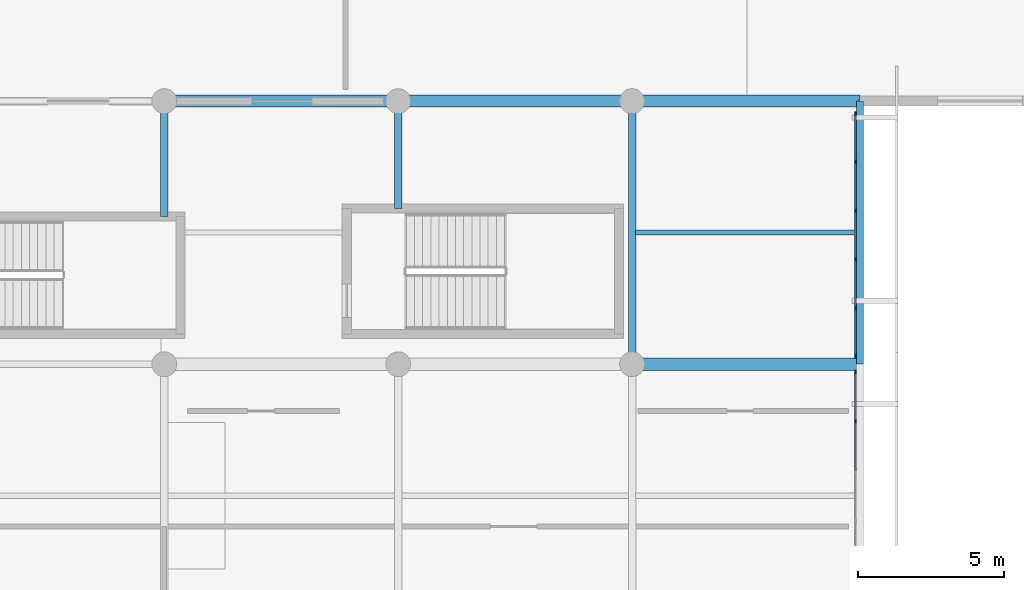
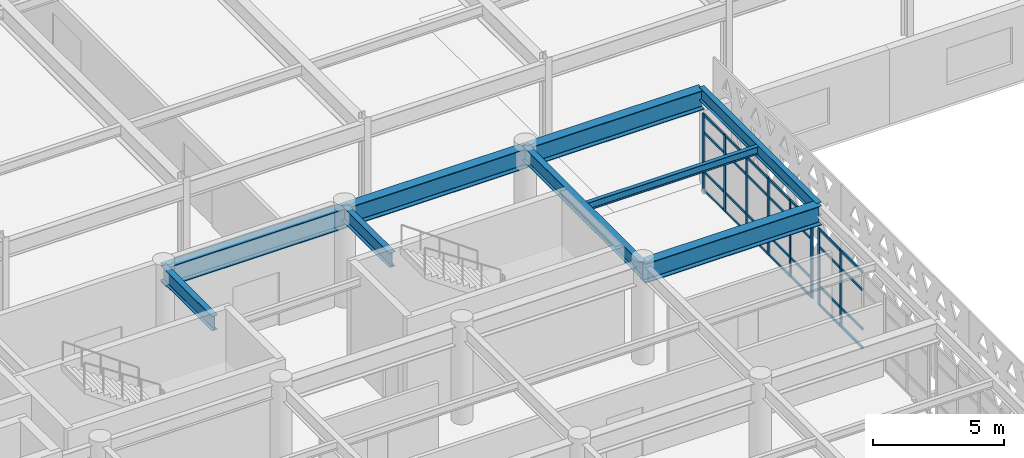
# One storey, part 19 of 54: 36 members, 8 beams, 2 elements without a shape of their own.
"""IFC4 building model written with IfcOpenShell, lengths in metres."""

import ifcopenshell
import ifcopenshell.guid

model = None  # the IFC model being written
_history = None  # IfcOwnerHistory: only IFC2X3 demands one
_inside = {}  # id of a spatial element -> (the spatial element, [elements in it])
_under = {}  # id of a project, library or spatial element -> (it, [spatial elements below it])
_declared = {}  # id of a project -> (the project, [libraries it declares])
_typed = {}  # id of a type object -> (the type object, [elements of that type])
_made_of = {}  # id of a material, layer set ... -> (it, [elements and type objects made of it])


def new_model(schema):
    """Start an empty IFC model of exactly this schema.

    Asked for "IFC4X3", IfcOpenShell would pick the latest addendum, in which some entities
    have other attributes; the version numbers below select the first issue.
    IFC2X3 requires an IfcOwnerHistory on every rooted entity: one is made here for all.
    """
    global model, _history
    if schema == "IFC4X3":
        model = ifcopenshell.file(schema_version=(4, 3, 0, 0))
    else:
        model = ifcopenshell.file(schema=schema)
    _inside.clear()
    _under.clear()
    _declared.clear()
    _typed.clear()
    _made_of.clear()
    _history = None
    if model.schema == "IFC2X3":
        org = make("IfcOrganization", Name="unknown")
        user = make(
            "IfcPersonAndOrganization",
            ThePerson=make("IfcPerson", FamilyName="unknown"),
            TheOrganization=org,
        )
        app = make(
            "IfcApplication",
            ApplicationDeveloper=org,
            Version="unknown",
            ApplicationFullName="unknown",
            ApplicationIdentifier="unknown",
        )
        _history = make(
            "IfcOwnerHistory",
            OwningUser=user,
            OwningApplication=app,
            ChangeAction="ADDED",
            CreationDate=0,
        )
    return model


def make(cls, **values):
    """One entity of the class cls with the attributes given. An attribute that is None is left unset."""
    return model.create_entity(
        cls, **{name: value for name, value in values.items() if value is not None}
    )


def rooted(cls, **values):
    """An entity with a GlobalId (a new one), such as an element, a storey or a relation."""
    return make(cls, GlobalId=ifcopenshell.guid.new(), OwnerHistory=_history, **values)


def si_unit(unit_type, name, prefix=None):
    """IfcSIUnit, for example si_unit("LENGTHUNIT", "METRE", prefix="MILLI")."""
    return make("IfcSIUnit", UnitType=unit_type, Prefix=prefix, Name=name)


def assignment(units):
    """IfcUnitAssignment: the units of a project."""
    return None if units is None else make("IfcUnitAssignment", Units=units)


def point(xyz):
    """IfcCartesianPoint."""
    return None if xyz is None else make("IfcCartesianPoint", Coordinates=xyz)


def direction(xyz):
    """IfcDirection."""
    return None if xyz is None else make("IfcDirection", DirectionRatios=xyz)


def frame(location, z_axis=None, x_axis=None):
    """IfcAxis2Placement3D, a coordinate frame: its origin and axes. An axis left out is left unset."""
    return make(
        "IfcAxis2Placement3D",
        Location=point(location),
        Axis=direction(z_axis),
        RefDirection=direction(x_axis),
    )


def frame_2d(location, x_axis=None):
    """IfcAxis2Placement2D, a coordinate frame in the plane: its origin and x axis."""
    return make(
        "IfcAxis2Placement2D", Location=point(location), RefDirection=direction(x_axis)
    )


def origin():
    """The frame at (0, 0, 0) with its axes left unset."""
    return frame((0.0, 0.0, 0.0))


def origin_2d():
    """The frame at (0, 0) in the plane with its x axis left unset."""
    return frame_2d((0.0, 0.0))


def place(relative_to, where):
    """IfcLocalPlacement: puts the frame where relative to a parent placement (None: the world)."""
    return make(
        "IfcLocalPlacement", PlacementRelTo=relative_to, RelativePlacement=where
    )


def context(
    kind, dimensions, precision=None, world=None, true_north=None, identifier=None
):
    """IfcGeometricRepresentationContext, for example the 3D "Model" context."""
    return make(
        "IfcGeometricRepresentationContext",
        ContextIdentifier=identifier,
        ContextType=kind,
        CoordinateSpaceDimension=dimensions,
        Precision=precision,
        WorldCoordinateSystem=world,
        TrueNorth=true_north,
    )


def subcontext(parent, identifier, kind, view, scale=None):
    """IfcGeometricRepresentationSubContext, for example "Body" below "Model"."""
    return make(
        "IfcGeometricRepresentationSubContext",
        ContextIdentifier=identifier,
        ContextType=kind,
        ParentContext=parent,
        TargetScale=scale,
        TargetView=view,
    )


def project(units=None, contexts=None):
    """IfcProject with its units and contexts."""
    return rooted(
        "IfcProject",
        Name="project",
        RepresentationContexts=contexts,
        UnitsInContext=assignment(units),
    )


def spatial(cls, under=None, at=None, **own):
    """A site, building, storey or space (cls), placed at a placement, below another one or the project."""
    s = rooted(cls, ObjectPlacement=at, **own)
    if under is not None:
        _under.setdefault(under.id(), (under, []))[1].append(s)
    return s


def profile(cls, at=None, kind="AREA", **sizes):
    """A parametric profile (cls). Its sizes go by their IFC names, for example OverallWidth=200.0."""
    return make(cls, ProfileType=kind, Position=at, **sizes)


def rectangle(**sizes):
    """IfcRectangleProfileDef."""
    return profile("IfcRectangleProfileDef", **sizes)


def i_section(**sizes):
    """IfcIShapeProfileDef."""
    return profile("IfcIShapeProfileDef", **sizes)


def extrude(swept, where, along, depth):
    """IfcExtrudedAreaSolid: the profile swept, set in the frame where, extruded along a direction by depth."""
    return make(
        "IfcExtrudedAreaSolid",
        SweptArea=swept,
        Position=where,
        ExtrudedDirection=direction(along),
        Depth=depth,
    )


def shape(context_of_items, identifier, shape_type, items):
    """IfcShapeRepresentation: the items that make up one representation, for example the "Body"."""
    return make(
        "IfcShapeRepresentation",
        ContextOfItems=context_of_items,
        RepresentationIdentifier=identifier,
        RepresentationType=shape_type,
        Items=items,
    )


def material(Name=None, Category=None):
    """IfcMaterial."""
    return make("IfcMaterial", Name=Name, Category=Category)


def layer(
    of_material, thickness, ventilated=None, Name=None, Category=None, Priority=None
):
    """IfcMaterialLayer: one layer of a wall or slab, of a material (None: an air gap)."""
    return make(
        "IfcMaterialLayer",
        Material=of_material,
        LayerThickness=thickness,
        IsVentilated=ventilated,
        Name=Name,
        Category=Category,
        Priority=Priority,
    )


def layer_set(layers, Name=None):
    """IfcMaterialLayerSet."""
    return make("IfcMaterialLayerSet", MaterialLayers=layers, LayerSetName=Name)


def material_profile(
    of_material, cross_section, Name=None, Category=None, Priority=None
):
    """IfcMaterialProfile: a cross section and its material."""
    return make(
        "IfcMaterialProfile",
        Name=Name,
        Material=of_material,
        Profile=cross_section,
        Priority=Priority,
        Category=Category,
    )


def profile_set(profiles, Name=None, composite=None):
    """IfcMaterialProfileSet."""
    return make(
        "IfcMaterialProfileSet",
        Name=Name,
        MaterialProfiles=profiles,
        CompositeProfile=composite,
    )


def made_of(thing, what):
    """Note that an element or type object is made of a material, layer set ...; save() writes the relation."""
    if what is not None:
        _made_of.setdefault(what.id(), (what, []))[1].append(thing)
    return thing


def type_object(cls, material=None, **own):
    """A type object (cls), such as IfcWallType, which elements share."""
    return made_of(rooted(cls, **own), material)


def element(
    cls,
    number,
    at=None,
    inside=None,
    cuts=None,
    type_object=None,
    material=None,
    context=None,
    identifier="Body",
    shape_type=None,
    held_by="IfcProductDefinitionShape",
    body=None,
    shapes=None,
    **own,
):
    """One element of the class cls, such as IfcWall. Its Tag is "e" and its number.

    at: its placement. inside: the storey or other place that contains it. cuts: it is an
    opening in that element (IfcRelVoidsElement). A single representation is given by context,
    identifier, shape_type and body (its items); several are given by shapes. held_by: the class
    of the entity that holds the representations. save() writes the other relations.
    """
    e = rooted(cls, Tag="e%d" % number, ObjectPlacement=at, **own)
    if body is not None:
        shapes = [shape(context, identifier, shape_type, body)]
    if shapes is not None:
        e.Representation = make(held_by, Representations=shapes)
    if inside is not None:
        _inside.setdefault(inside.id(), (inside, []))[1].append(e)
    if cuts is not None:
        rooted(
            "IfcRelVoidsElement", RelatingBuildingElement=cuts, RelatedOpeningElement=e
        )
    if type_object is not None:
        _typed.setdefault(type_object.id(), (type_object, []))[1].append(e)
    return made_of(e, material)


def aggregate(whole, parts):
    """IfcRelAggregates: a whole, such as a stair, and the parts it consists of."""
    return rooted("IfcRelAggregates", RelatingObject=whole, RelatedObjects=parts)


def save(model, path):
    """Write the relations noted so far, then the file.

    IfcRelAggregates (storeys below a building ...), IfcRelContainedInSpatialStructure (elements
    in a storey), IfcRelDefinesByType, IfcRelAssociatesMaterial and IfcRelDeclares: one each for
    every whole, place, type object, material and project.
    """
    for whole, parts in _under.values():
        aggregate(whole, parts)
    for where, things in _inside.values():
        rooted(
            "IfcRelContainedInSpatialStructure",
            RelatedElements=things,
            RelatingStructure=where,
        )
    for kind, things in _typed.values():
        rooted("IfcRelDefinesByType", RelatedObjects=things, RelatingType=kind)
    for what, things in _made_of.values():
        rooted("IfcRelAssociatesMaterial", RelatedObjects=things, RelatingMaterial=what)
    for by, libraries in _declared.values():
        rooted("IfcRelDeclares", RelatingContext=by, RelatedDefinitions=libraries)
    model.write(path)


model = new_model("IFC4")

# Units and contexts
model_context = context("Model", 3, precision=1e-05, world=origin(), true_north=direction((0.0, 1.0)))
body_context = subcontext(model_context, "Body", "Model", "MODEL_VIEW")
ifc_project = project(units=[si_unit("LENGTHUNIT", "METRE"), si_unit("AREAUNIT", "SQUARE_METRE"), si_unit("VOLUMEUNIT", "CUBIC_METRE"), si_unit("PLANEANGLEUNIT", "RADIAN"), si_unit("MASSUNIT", "GRAM", prefix="KILO")], contexts=[model_context])

# Site, building, storey
site_placement = place(None, origin())
site = spatial("IfcSite", under=ifc_project, at=site_placement, CompositionType="ELEMENT")
building_placement = place(site_placement, origin())
building = spatial("IfcBuilding", under=site, at=building_placement, Name="Tlacozan Convention Centre", CompositionType="ELEMENT")
storey_placement = place(building_placement, frame((0.0, 0.0, 11.39990234375)))
storey = spatial("IfcBuildingStorey", under=building, at=storey_placement, Name="L02", CompositionType="ELEMENT", Elevation=11.39990234375)

# Beams
ifc_material_1 = material(Name="Steel ASTM A992 Grade 50", Category="steel")
ifc_material_profile_1 = material_profile(ifc_material_1, i_section(OverallWidth=0.41796875, OverallDepth=0.912109375, WebThickness=0.019287109375, FlangeThickness=0.031982421875, FilletRadius=0.02001953125, at=origin_2d()), Name="IR 914x342.0")
ifc_profile_set_1 = profile_set([ifc_material_profile_1], Name="Steel ASTM A992 Grade 50")
beam_type_1 = type_object("IfcBeamType", Name="Cantilever Girder IR 914x342", PredefinedType="BEAM", material=ifc_profile_set_1)
for number, where, z_axis, x_axis, name in (
    (1, (112.0, 18.0, 4.093994140625), (1.0, 0.0, 0.0), (0.0, 1.0, 0.0), "L02 Cantilever Girder IR 914x342 459"),
    (2, (112.0, 27.0, 4.044189453125), (1.0, 0.0, 0.0), (0.0, 1.0, 0.0), "L02 Cantilever Girder IR 914x342 463"),
):
    element("IfcBeam", number, at=place(storey_placement, frame(where, z_axis=z_axis, x_axis=x_axis)), inside=storey, type_object=beam_type_1, Name=name, PredefinedType="BEAM", context=body_context, shape_type="SweptSolid", body=[
        extrude(i_section(OverallWidth=0.41796875, OverallDepth=0.912109375, WebThickness=0.019287109375, FlangeThickness=0.031982421875, FilletRadius=0.02001953125, at=origin_2d()), origin(), (0.0, 0.0, 1.0), 7.800048828125),
    ])

# Curtain wall, members
ifc_material_2 = material(Name="Dark Bronze Anodised Aluminium", Category="aluminium")
ifc_layer = layer(ifc_material_2, 0.159912109375)
ifc_layer_set = layer_set([ifc_layer], Name="Dark Bronze Anodised Aluminium")
curtain_wall_type = type_object("IfcCurtainWallType", Name="Unitised Congress Gable End CW06", PredefinedType="NOTDEFINED", material=ifc_layer_set)
curtain_wall_1_placement = place(storey_placement, origin())
curtain_wall_1 = element("IfcCurtainWall", 3, at=curtain_wall_1_placement, inside=storey, type_object=curtain_wall_type, Name="L02 CW-06 Run 99", PredefinedType="NOTDEFINED")
ifc_material_profile_2 = material_profile(ifc_material_2, rectangle(XDim=0.06005859375, YDim=0.139892578125, at=origin_2d()), Name="ALU 60x140")
ifc_profile_set_2 = profile_set([ifc_material_profile_2], Name="Dark Bronze Anodised Aluminium")
member_type_1 = type_object("IfcMemberType", Name="Curtain Wall Light Mullion 60x140", PredefinedType="MULLION", material=ifc_profile_set_2)
member_1_placement = place(storey_placement, frame((119.639892578125, 16.050048828125, 0.0), z_axis=(0.0, 0.0, 1.0), x_axis=(-1.0, 0.0, 0.0)))
member_1 = element("IfcMember", 4, at=member_1_placement, type_object=member_type_1, Name="CW-06 mullion 5", PredefinedType="MULLION", context=body_context, shape_type="SweptSolid", body=[
    extrude(rectangle(XDim=0.06005859375, YDim=0.139892578125, at=origin_2d()), origin(), (0.0, 0.0, 1.0), 3.590087890625),
])
member_2_placement = place(storey_placement, frame((119.639892578125, 17.719970703125, 0.0), z_axis=(0.0, 0.0, 1.0), x_axis=(-1.0, 0.0, 0.0)))
member_2 = element("IfcMember", 5, at=member_2_placement, type_object=member_type_1, Name="CW-06 mullion 6", PredefinedType="MULLION", context=body_context, shape_type="SweptSolid", body=[
    extrude(rectangle(XDim=0.06005859375, YDim=0.139892578125, at=origin_2d()), origin(), (0.0, 0.0, 1.0), 3.590087890625),
])

curtain_wall_2_placement = place(storey_placement, origin())
curtain_wall_2 = element("IfcCurtainWall", 6, at=curtain_wall_2_placement, inside=storey, type_object=curtain_wall_type, Name="L02 CW-06 Run 101", PredefinedType="NOTDEFINED")
member_3_placement = place(storey_placement, frame((119.639892578125, 18.280029296875, 0.0), z_axis=(0.0, 0.0, 1.0), x_axis=(-1.0, 0.0, 0.0)))
member_3 = element("IfcMember", 7, at=member_3_placement, type_object=member_type_1, Name="CW-06 mullion 1", PredefinedType="MULLION", context=body_context, shape_type="SweptSolid", body=[
    extrude(rectangle(XDim=0.06005859375, YDim=0.139892578125, at=origin_2d()), origin(), (0.0, 0.0, 1.0), 3.590087890625),
])
member_4_placement = place(storey_placement, frame((119.639892578125, 19.91796875, 0.0), z_axis=(0.0, 0.0, 1.0), x_axis=(-1.0, 0.0, 0.0)))
member_4 = element("IfcMember", 8, at=member_4_placement, type_object=member_type_1, Name="CW-06 mullion 2", PredefinedType="MULLION", context=body_context, shape_type="SweptSolid", body=[
    extrude(rectangle(XDim=0.06005859375, YDim=0.139892578125, at=origin_2d()), origin(), (0.0, 0.0, 1.0), 3.590087890625),
])
member_5_placement = place(storey_placement, frame((119.639892578125, 21.5859375, 0.0), z_axis=(0.0, 0.0, 1.0), x_axis=(-1.0, 0.0, 0.0)))
member_5 = element("IfcMember", 9, at=member_5_placement, type_object=member_type_1, Name="CW-06 mullion 3", PredefinedType="MULLION", context=body_context, shape_type="SweptSolid", body=[
    extrude(rectangle(XDim=0.06005859375, YDim=0.139892578125, at=origin_2d()), origin(), (0.0, 0.0, 1.0), 3.590087890625),
])
member_6_placement = place(storey_placement, frame((119.639892578125, 23.25390625, 0.0), z_axis=(0.0, 0.0, 1.0), x_axis=(-1.0, 0.0, 0.0)))
member_6 = element("IfcMember", 10, at=member_6_placement, type_object=member_type_1, Name="CW-06 mullion 4", PredefinedType="MULLION", context=body_context, shape_type="SweptSolid", body=[
    extrude(rectangle(XDim=0.06005859375, YDim=0.139892578125, at=origin_2d()), origin(), (0.0, 0.0, 1.0), 3.590087890625),
])
member_7_placement = place(storey_placement, frame((119.639892578125, 24.922119140625, 0.0), z_axis=(0.0, 0.0, 1.0), x_axis=(-1.0, 0.0, 0.0)))
member_7 = element("IfcMember", 11, at=member_7_placement, type_object=member_type_1, Name="CW-06 mullion 5", PredefinedType="MULLION", context=body_context, shape_type="SweptSolid", body=[
    extrude(rectangle(XDim=0.06005859375, YDim=0.139892578125, at=origin_2d()), origin(), (0.0, 0.0, 1.0), 3.590087890625),
])
member_8_placement = place(storey_placement, frame((119.639892578125, 26.56005859375, 0.0), z_axis=(0.0, 0.0, 1.0), x_axis=(-1.0, 0.0, 0.0)))
member_8 = element("IfcMember", 12, at=member_8_placement, type_object=member_type_1, Name="CW-06 mullion 6", PredefinedType="MULLION", context=body_context, shape_type="SweptSolid", body=[
    extrude(rectangle(XDim=0.06005859375, YDim=0.139892578125, at=origin_2d()), origin(), (0.0, 0.0, 1.0), 3.590087890625),
])

# Member
ifc_material_profile_3 = material_profile(ifc_material_2, rectangle(XDim=0.06005859375, YDim=0.110107421875, at=origin_2d()), Name="ALU 60x110")
ifc_profile_set_3 = profile_set([ifc_material_profile_3], Name="Dark Bronze Anodised Aluminium")
member_type_2 = type_object("IfcMemberType", Name="Curtain Wall Light Transom 60x110", PredefinedType="USERDEFINED", material=ifc_profile_set_3)
member_9_placement = place(storey_placement, frame((119.639892578125, 14.3798828125, 0.030029296875), z_axis=(0.0, 1.0, 0.0), x_axis=(-1.0, 0.0, 0.0)))
member_9 = element("IfcMember", 13, at=member_9_placement, type_object=member_type_2, Name="CW-06 transom 4.1", ObjectType="TRANSOM", PredefinedType="USERDEFINED", context=body_context, shape_type="SweptSolid", body=[
    extrude(rectangle(XDim=0.06005859375, YDim=0.110107421875, at=origin_2d()), origin(), (0.0, 0.0, 1.0), 1.64013671875),
])

member_10_placement = place(storey_placement, frame((119.639892578125, 14.3798828125, 0.900146484375), z_axis=(0.0, 1.0, 0.0), x_axis=(-1.0, 0.0, 0.0)))
member_10 = element("IfcMember", 14, at=member_10_placement, type_object=member_type_2, Name="CW-06 transom 4.2", ObjectType="TRANSOM", PredefinedType="USERDEFINED", context=body_context, shape_type="SweptSolid", body=[
    extrude(rectangle(XDim=0.06005859375, YDim=0.110107421875, at=origin_2d()), origin(), (0.0, 0.0, 1.0), 1.64013671875),
])

member_11_placement = place(storey_placement, frame((119.639892578125, 14.3798828125, 2.739990234375), z_axis=(0.0, 1.0, 0.0), x_axis=(-1.0, 0.0, 0.0)))
member_11 = element("IfcMember", 15, at=member_11_placement, type_object=member_type_2, Name="CW-06 transom 4.3", ObjectType="TRANSOM", PredefinedType="USERDEFINED", context=body_context, shape_type="SweptSolid", body=[
    extrude(rectangle(XDim=0.06005859375, YDim=0.110107421875, at=origin_2d()), origin(), (0.0, 0.0, 1.0), 1.64013671875),
])

member_12_placement = place(storey_placement, frame((119.639892578125, 14.3798828125, 3.56005859375), z_axis=(0.0, 1.0, 0.0), x_axis=(-1.0, 0.0, 0.0)))
member_12 = element("IfcMember", 16, at=member_12_placement, type_object=member_type_2, Name="CW-06 transom 4.4", ObjectType="TRANSOM", PredefinedType="USERDEFINED", context=body_context, shape_type="SweptSolid", body=[
    extrude(rectangle(XDim=0.06005859375, YDim=0.110107421875, at=origin_2d()), origin(), (0.0, 0.0, 1.0), 1.64013671875),
])

member_13_placement = place(storey_placement, frame((119.639892578125, 16.080078125, 0.030029296875), z_axis=(0.0, 1.0, 0.0), x_axis=(-1.0, 0.0, 0.0)))
member_13 = element("IfcMember", 17, at=member_13_placement, type_object=member_type_2, Name="CW-06 transom 5.1", ObjectType="TRANSOM", PredefinedType="USERDEFINED", context=body_context, shape_type="SweptSolid", body=[
    extrude(rectangle(XDim=0.06005859375, YDim=0.110107421875, at=origin_2d()), origin(), (0.0, 0.0, 1.0), 1.60986328125),
])

member_14_placement = place(storey_placement, frame((119.639892578125, 16.080078125, 0.900146484375), z_axis=(0.0, 1.0, 0.0), x_axis=(-1.0, 0.0, 0.0)))
member_14 = element("IfcMember", 18, at=member_14_placement, type_object=member_type_2, Name="CW-06 transom 5.2", ObjectType="TRANSOM", PredefinedType="USERDEFINED", context=body_context, shape_type="SweptSolid", body=[
    extrude(rectangle(XDim=0.06005859375, YDim=0.110107421875, at=origin_2d()), origin(), (0.0, 0.0, 1.0), 1.60986328125),
])

member_15_placement = place(storey_placement, frame((119.639892578125, 16.080078125, 2.739990234375), z_axis=(0.0, 1.0, 0.0), x_axis=(-1.0, 0.0, 0.0)))
member_15 = element("IfcMember", 19, at=member_15_placement, type_object=member_type_2, Name="CW-06 transom 5.3", ObjectType="TRANSOM", PredefinedType="USERDEFINED", context=body_context, shape_type="SweptSolid", body=[
    extrude(rectangle(XDim=0.06005859375, YDim=0.110107421875, at=origin_2d()), origin(), (0.0, 0.0, 1.0), 1.60986328125),
])

member_16_placement = place(storey_placement, frame((119.639892578125, 16.080078125, 3.56005859375), z_axis=(0.0, 1.0, 0.0), x_axis=(-1.0, 0.0, 0.0)))
member_16 = element("IfcMember", 20, at=member_16_placement, type_object=member_type_2, Name="CW-06 transom 5.4", ObjectType="TRANSOM", PredefinedType="USERDEFINED", context=body_context, shape_type="SweptSolid", body=[
    extrude(rectangle(XDim=0.06005859375, YDim=0.110107421875, at=origin_2d()), origin(), (0.0, 0.0, 1.0), 1.60986328125),
])

aggregate(curtain_wall_1, [member_1, member_2, member_9, member_10, member_11, member_12, member_13, member_14, member_15, member_16])

member_17_placement = place(storey_placement, frame((119.639892578125, 18.31005859375, 0.030029296875), z_axis=(0.0, 1.0, 0.0), x_axis=(-1.0, 0.0, 0.0)))
member_17 = element("IfcMember", 21, at=member_17_placement, type_object=member_type_2, Name="CW-06 transom 1.1", ObjectType="TRANSOM", PredefinedType="USERDEFINED", context=body_context, shape_type="SweptSolid", body=[
    extrude(rectangle(XDim=0.06005859375, YDim=0.110107421875, at=origin_2d()), origin(), (0.0, 0.0, 1.0), 1.577880859375),
])

member_18_placement = place(storey_placement, frame((119.639892578125, 18.31005859375, 0.900146484375), z_axis=(0.0, 1.0, 0.0), x_axis=(-1.0, 0.0, 0.0)))
member_18 = element("IfcMember", 22, at=member_18_placement, type_object=member_type_2, Name="CW-06 transom 1.2", ObjectType="TRANSOM", PredefinedType="USERDEFINED", context=body_context, shape_type="SweptSolid", body=[
    extrude(rectangle(XDim=0.06005859375, YDim=0.110107421875, at=origin_2d()), origin(), (0.0, 0.0, 1.0), 1.577880859375),
])

member_19_placement = place(storey_placement, frame((119.639892578125, 18.31005859375, 2.739990234375), z_axis=(0.0, 1.0, 0.0), x_axis=(-1.0, 0.0, 0.0)))
member_19 = element("IfcMember", 23, at=member_19_placement, type_object=member_type_2, Name="CW-06 transom 1.3", ObjectType="TRANSOM", PredefinedType="USERDEFINED", context=body_context, shape_type="SweptSolid", body=[
    extrude(rectangle(XDim=0.06005859375, YDim=0.110107421875, at=origin_2d()), origin(), (0.0, 0.0, 1.0), 1.577880859375),
])

member_20_placement = place(storey_placement, frame((119.639892578125, 18.31005859375, 3.56005859375), z_axis=(0.0, 1.0, 0.0), x_axis=(-1.0, 0.0, 0.0)))
member_20 = element("IfcMember", 24, at=member_20_placement, type_object=member_type_2, Name="CW-06 transom 1.4", ObjectType="TRANSOM", PredefinedType="USERDEFINED", context=body_context, shape_type="SweptSolid", body=[
    extrude(rectangle(XDim=0.06005859375, YDim=0.110107421875, at=origin_2d()), origin(), (0.0, 0.0, 1.0), 1.577880859375),
])

member_21_placement = place(storey_placement, frame((119.639892578125, 19.947998046875, 0.030029296875), z_axis=(0.0, 1.0, 0.0), x_axis=(-1.0, 0.0, 0.0)))
member_21 = element("IfcMember", 25, at=member_21_placement, type_object=member_type_2, Name="CW-06 transom 2.1", ObjectType="TRANSOM", PredefinedType="USERDEFINED", context=body_context, shape_type="SweptSolid", body=[
    extrude(rectangle(XDim=0.06005859375, YDim=0.110107421875, at=origin_2d()), origin(), (0.0, 0.0, 1.0), 1.60791015625),
])

member_22_placement = place(storey_placement, frame((119.639892578125, 19.947998046875, 0.900146484375), z_axis=(0.0, 1.0, 0.0), x_axis=(-1.0, 0.0, 0.0)))
member_22 = element("IfcMember", 26, at=member_22_placement, type_object=member_type_2, Name="CW-06 transom 2.2", ObjectType="TRANSOM", PredefinedType="USERDEFINED", context=body_context, shape_type="SweptSolid", body=[
    extrude(rectangle(XDim=0.06005859375, YDim=0.110107421875, at=origin_2d()), origin(), (0.0, 0.0, 1.0), 1.60791015625),
])

member_23_placement = place(storey_placement, frame((119.639892578125, 19.947998046875, 2.739990234375), z_axis=(0.0, 1.0, 0.0), x_axis=(-1.0, 0.0, 0.0)))
member_23 = element("IfcMember", 27, at=member_23_placement, type_object=member_type_2, Name="CW-06 transom 2.3", ObjectType="TRANSOM", PredefinedType="USERDEFINED", context=body_context, shape_type="SweptSolid", body=[
    extrude(rectangle(XDim=0.06005859375, YDim=0.110107421875, at=origin_2d()), origin(), (0.0, 0.0, 1.0), 1.60791015625),
])

member_24_placement = place(storey_placement, frame((119.639892578125, 19.947998046875, 3.56005859375), z_axis=(0.0, 1.0, 0.0), x_axis=(-1.0, 0.0, 0.0)))
member_24 = element("IfcMember", 28, at=member_24_placement, type_object=member_type_2, Name="CW-06 transom 2.4", ObjectType="TRANSOM", PredefinedType="USERDEFINED", context=body_context, shape_type="SweptSolid", body=[
    extrude(rectangle(XDim=0.06005859375, YDim=0.110107421875, at=origin_2d()), origin(), (0.0, 0.0, 1.0), 1.60791015625),
])

member_25_placement = place(storey_placement, frame((119.639892578125, 21.615966796875, 0.030029296875), z_axis=(0.0, 1.0, 0.0), x_axis=(-1.0, 0.0, 0.0)))
member_25 = element("IfcMember", 29, at=member_25_placement, type_object=member_type_2, Name="CW-06 transom 3.1", ObjectType="TRANSOM", PredefinedType="USERDEFINED", context=body_context, shape_type="SweptSolid", body=[
    extrude(rectangle(XDim=0.06005859375, YDim=0.110107421875, at=origin_2d()), origin(), (0.0, 0.0, 1.0), 1.608154296875),
])

member_26_placement = place(storey_placement, frame((119.639892578125, 21.615966796875, 0.900146484375), z_axis=(0.0, 1.0, 0.0), x_axis=(-1.0, 0.0, 0.0)))
member_26 = element("IfcMember", 30, at=member_26_placement, type_object=member_type_2, Name="CW-06 transom 3.2", ObjectType="TRANSOM", PredefinedType="USERDEFINED", context=body_context, shape_type="SweptSolid", body=[
    extrude(rectangle(XDim=0.06005859375, YDim=0.110107421875, at=origin_2d()), origin(), (0.0, 0.0, 1.0), 1.608154296875),
])

member_27_placement = place(storey_placement, frame((119.639892578125, 21.615966796875, 2.739990234375), z_axis=(0.0, 1.0, 0.0), x_axis=(-1.0, 0.0, 0.0)))
member_27 = element("IfcMember", 31, at=member_27_placement, type_object=member_type_2, Name="CW-06 transom 3.3", ObjectType="TRANSOM", PredefinedType="USERDEFINED", context=body_context, shape_type="SweptSolid", body=[
    extrude(rectangle(XDim=0.06005859375, YDim=0.110107421875, at=origin_2d()), origin(), (0.0, 0.0, 1.0), 1.608154296875),
])

member_28_placement = place(storey_placement, frame((119.639892578125, 21.615966796875, 3.56005859375), z_axis=(0.0, 1.0, 0.0), x_axis=(-1.0, 0.0, 0.0)))
member_28 = element("IfcMember", 32, at=member_28_placement, type_object=member_type_2, Name="CW-06 transom 3.4", ObjectType="TRANSOM", PredefinedType="USERDEFINED", context=body_context, shape_type="SweptSolid", body=[
    extrude(rectangle(XDim=0.06005859375, YDim=0.110107421875, at=origin_2d()), origin(), (0.0, 0.0, 1.0), 1.608154296875),
])

member_29_placement = place(storey_placement, frame((119.639892578125, 23.283935546875, 0.030029296875), z_axis=(0.0, 1.0, 0.0), x_axis=(-1.0, 0.0, 0.0)))
member_29 = element("IfcMember", 33, at=member_29_placement, type_object=member_type_2, Name="CW-06 transom 4.1", ObjectType="TRANSOM", PredefinedType="USERDEFINED", context=body_context, shape_type="SweptSolid", body=[
    extrude(rectangle(XDim=0.06005859375, YDim=0.110107421875, at=origin_2d()), origin(), (0.0, 0.0, 1.0), 1.608154296875),
])

member_30_placement = place(storey_placement, frame((119.639892578125, 23.283935546875, 0.900146484375), z_axis=(0.0, 1.0, 0.0), x_axis=(-1.0, 0.0, 0.0)))
member_30 = element("IfcMember", 34, at=member_30_placement, type_object=member_type_2, Name="CW-06 transom 4.2", ObjectType="TRANSOM", PredefinedType="USERDEFINED", context=body_context, shape_type="SweptSolid", body=[
    extrude(rectangle(XDim=0.06005859375, YDim=0.110107421875, at=origin_2d()), origin(), (0.0, 0.0, 1.0), 1.608154296875),
])

member_31_placement = place(storey_placement, frame((119.639892578125, 23.283935546875, 2.739990234375), z_axis=(0.0, 1.0, 0.0), x_axis=(-1.0, 0.0, 0.0)))
member_31 = element("IfcMember", 35, at=member_31_placement, type_object=member_type_2, Name="CW-06 transom 4.3", ObjectType="TRANSOM", PredefinedType="USERDEFINED", context=body_context, shape_type="SweptSolid", body=[
    extrude(rectangle(XDim=0.06005859375, YDim=0.110107421875, at=origin_2d()), origin(), (0.0, 0.0, 1.0), 1.608154296875),
])

member_32_placement = place(storey_placement, frame((119.639892578125, 23.283935546875, 3.56005859375), z_axis=(0.0, 1.0, 0.0), x_axis=(-1.0, 0.0, 0.0)))
member_32 = element("IfcMember", 36, at=member_32_placement, type_object=member_type_2, Name="CW-06 transom 4.4", ObjectType="TRANSOM", PredefinedType="USERDEFINED", context=body_context, shape_type="SweptSolid", body=[
    extrude(rectangle(XDim=0.06005859375, YDim=0.110107421875, at=origin_2d()), origin(), (0.0, 0.0, 1.0), 1.608154296875),
])

member_33_placement = place(storey_placement, frame((119.639892578125, 24.951904296875, 0.030029296875), z_axis=(0.0, 1.0, 0.0), x_axis=(-1.0, 0.0, 0.0)))
member_33 = element("IfcMember", 37, at=member_33_placement, type_object=member_type_2, Name="CW-06 transom 5.1", ObjectType="TRANSOM", PredefinedType="USERDEFINED", context=body_context, shape_type="SweptSolid", body=[
    extrude(rectangle(XDim=0.06005859375, YDim=0.110107421875, at=origin_2d()), origin(), (0.0, 0.0, 1.0), 1.578125),
])

member_34_placement = place(storey_placement, frame((119.639892578125, 24.951904296875, 0.900146484375), z_axis=(0.0, 1.0, 0.0), x_axis=(-1.0, 0.0, 0.0)))
member_34 = element("IfcMember", 38, at=member_34_placement, type_object=member_type_2, Name="CW-06 transom 5.2", ObjectType="TRANSOM", PredefinedType="USERDEFINED", context=body_context, shape_type="SweptSolid", body=[
    extrude(rectangle(XDim=0.06005859375, YDim=0.110107421875, at=origin_2d()), origin(), (0.0, 0.0, 1.0), 1.578125),
])

member_35_placement = place(storey_placement, frame((119.639892578125, 24.951904296875, 2.739990234375), z_axis=(0.0, 1.0, 0.0), x_axis=(-1.0, 0.0, 0.0)))
member_35 = element("IfcMember", 39, at=member_35_placement, type_object=member_type_2, Name="CW-06 transom 5.3", ObjectType="TRANSOM", PredefinedType="USERDEFINED", context=body_context, shape_type="SweptSolid", body=[
    extrude(rectangle(XDim=0.06005859375, YDim=0.110107421875, at=origin_2d()), origin(), (0.0, 0.0, 1.0), 1.578125),
])

member_36_placement = place(storey_placement, frame((119.639892578125, 24.951904296875, 3.56005859375), z_axis=(0.0, 1.0, 0.0), x_axis=(-1.0, 0.0, 0.0)))
member_36 = element("IfcMember", 40, at=member_36_placement, type_object=member_type_2, Name="CW-06 transom 5.4", ObjectType="TRANSOM", PredefinedType="USERDEFINED", context=body_context, shape_type="SweptSolid", body=[
    extrude(rectangle(XDim=0.06005859375, YDim=0.110107421875, at=origin_2d()), origin(), (0.0, 0.0, 1.0), 1.578125),
])

aggregate(curtain_wall_2, [member_3, member_4, member_5, member_6, member_7, member_8, member_17, member_18, member_19, member_20, member_21, member_22, member_23, member_24, member_25, member_26, member_27, member_28, member_29, member_30, member_31, member_32, member_33, member_34, member_35, member_36])

# Beams
ifc_material_profile_4 = material_profile(ifc_material_1, i_section(OverallWidth=0.256103515625, OverallDepth=0.693115234375, WebThickness=0.014404296875, FlangeThickness=0.023681640625, FilletRadius=0.014892578125, at=origin_2d()), Name="IR 686x170.0")
ifc_profile_set_4 = profile_set([ifc_material_profile_4], Name="Steel ASTM A992 Grade 50")
beam_type_2 = type_object("IfcBeamType", Name="Girder Steel IR 686x170", PredefinedType="BEAM", material=ifc_profile_set_4)
beam_1_placement = place(storey_placement, frame((96.0, 23.06005859375, 4.20361328125), z_axis=(0.0, 1.0, 0.0), x_axis=(-1.0, 0.0, 0.0)))
element("IfcBeam", 41, at=beam_1_placement, inside=storey, type_object=beam_type_2, Name="L02 Girder Steel IR 686x170 435", PredefinedType="BEAM", context=body_context, shape_type="SweptSolid", body=[
    extrude(i_section(OverallWidth=0.256103515625, OverallDepth=0.693115234375, WebThickness=0.014404296875, FlangeThickness=0.023681640625, FilletRadius=0.014892578125, at=origin_2d()), origin(), (0.0, 0.0, 1.0), 3.93994140625),
])
beam_2_placement = place(storey_placement, frame((104.0, 23.320068359375, 4.20361328125), z_axis=(0.0, 1.0, 0.0), x_axis=(-1.0, 0.0, 0.0)))
element("IfcBeam", 42, at=beam_2_placement, inside=storey, type_object=beam_type_2, Name="L02 Girder Steel IR 686x170 438", PredefinedType="BEAM", context=body_context, shape_type="SweptSolid", body=[
    extrude(i_section(OverallWidth=0.256103515625, OverallDepth=0.693115234375, WebThickness=0.014404296875, FlangeThickness=0.023681640625, FilletRadius=0.014892578125, at=origin_2d()), origin(), (0.0, 0.0, 1.0), 3.679931640625),
])
beam_3_placement = place(storey_placement, frame((112.0, 18.0, 4.20361328125), z_axis=(0.0, 1.0, 0.0), x_axis=(-1.0, 0.0, 0.0)))
element("IfcBeam", 43, at=beam_3_placement, inside=storey, type_object=beam_type_2, Name="L02 Girder Steel IR 686x170 441", PredefinedType="BEAM", context=body_context, shape_type="SweptSolid", body=[
    extrude(i_section(OverallWidth=0.256103515625, OverallDepth=0.693115234375, WebThickness=0.014404296875, FlangeThickness=0.023681640625, FilletRadius=0.014892578125, at=origin_2d()), origin(), (0.0, 0.0, 1.0), 9.0),
])
ifc_material_profile_5 = material_profile(ifc_material_1, i_section(OverallWidth=0.22900390625, OverallDepth=0.612060546875, WebThickness=0.011962890625, FlangeThickness=0.01953125, FilletRadius=0.012939453125, at=origin_2d()), Name="IR 610x125.0")
ifc_profile_set_5 = profile_set([ifc_material_profile_5], Name="Steel ASTM A992 Grade 50")
beam_type_3 = type_object("IfcBeamType", Name="Perimeter Spandrel IR 610x125", PredefinedType="SPANDREL", material=ifc_profile_set_5)
beam_4_placement = place(storey_placement, frame((119.800048828125, 18.0, 4.244140625), z_axis=(0.0, 1.0, 0.0), x_axis=(-1.0, 0.0, 0.0)))
element("IfcBeam", 44, at=beam_4_placement, inside=storey, type_object=beam_type_3, Name="L02 Perimeter Spandrel IR 610x125 447", PredefinedType="SPANDREL", context=body_context, shape_type="SweptSolid", body=[
    extrude(i_section(OverallWidth=0.22900390625, OverallDepth=0.612060546875, WebThickness=0.011962890625, FlangeThickness=0.01953125, FilletRadius=0.012939453125, at=origin_2d()), origin(), (0.0, 0.0, 1.0), 9.0),
])
ifc_material_profile_6 = material_profile(ifc_material_1, i_section(OverallWidth=0.173095703125, OverallDepth=0.364013671875, WebThickness=0.009033203125, FlangeThickness=0.015625, FilletRadius=0.010009765625, at=origin_2d()), Name="IR 356x67.1")
ifc_profile_set_6 = profile_set([ifc_material_profile_6], Name="Steel ASTM A992 Grade 50")
beam_type_4 = type_object("IfcBeamType", Name="Secondary Joist IR 356x67.1", PredefinedType="JOIST", material=ifc_profile_set_6)
beam_5_placement = place(storey_placement, frame((112.1259765625, 22.5, 4.3681640625), z_axis=(1.0, 0.0, 0.0), x_axis=(0.0, 1.0, 0.0)))
element("IfcBeam", 45, at=beam_5_placement, inside=storey, type_object=beam_type_4, Name="L02 Secondary Joist IR 356x67.1 536", PredefinedType="JOIST", context=body_context, shape_type="SweptSolid", body=[
    extrude(i_section(OverallWidth=0.173095703125, OverallDepth=0.364013671875, WebThickness=0.009033203125, FlangeThickness=0.015625, FilletRadius=0.010009765625, at=origin_2d()), origin(), (0.0, 0.0, 1.0), 7.548095703125),
])
ifc_material_profile_7 = material_profile(ifc_material_1, i_section(OverallWidth=0.41796875, OverallDepth=0.912109375, WebThickness=0.019287109375, FlangeThickness=0.031982421875, FilletRadius=0.02001953125, at=origin_2d()), Name="IR 914x342.0")
ifc_profile_set_7 = profile_set([ifc_material_profile_7], Name="Steel ASTM A992 Grade 50")
beam_type_5 = type_object("IfcBeamType", Name="Transfer Girder IR 914x342", PredefinedType="BEAM", material=ifc_profile_set_7)
beam_6_placement = place(storey_placement, frame((96.0, 27.0, 4.044189453125), z_axis=(1.0, 0.0, 0.0), x_axis=(0.0, 1.0, 0.0)))
element("IfcBeam", 46, at=beam_6_placement, inside=storey, type_object=beam_type_5, Name="L02 Transfer Girder IR 914x342 462", PredefinedType="BEAM", context=body_context, shape_type="SweptSolid", body=[
    extrude(i_section(OverallWidth=0.41796875, OverallDepth=0.912109375, WebThickness=0.019287109375, FlangeThickness=0.031982421875, FilletRadius=0.02001953125, at=origin_2d()), origin(), (0.0, 0.0, 1.0), 16.0),
])

save(model, "model.ifc")
